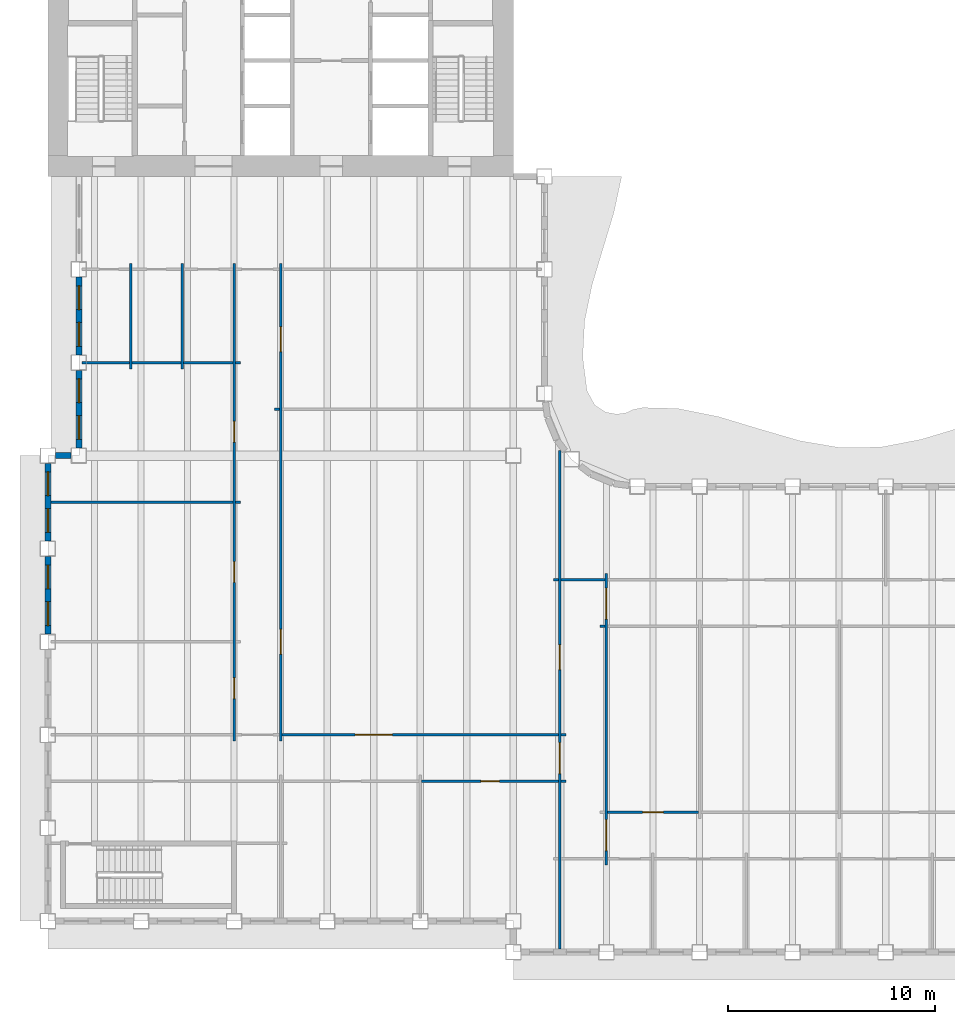
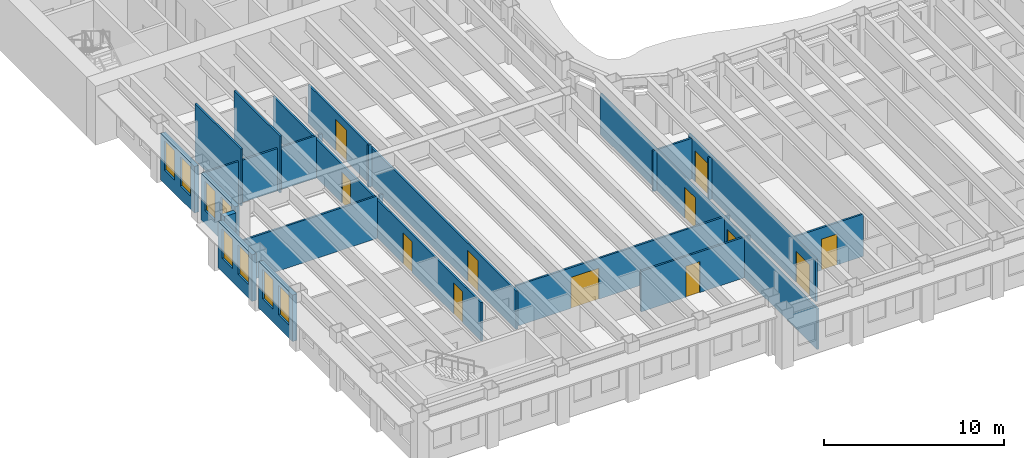
# One storey, part 4 of 17: 26 walls, 12 doors, 8 windows, 20 openings.
"""IFC4 building model written with IfcOpenShell, lengths in metres."""

from ifc_helpers import new_model, si_unit, direction, frame, frame_2d, origin, place, context, subcontext, project, spatial, rectangle, extrude, material, layer, layer_set, type_object, element, fill, save


model = new_model("IFC4")

# Units and contexts
model_context = context("Model", 3, precision=1e-05, world=origin(), true_north=direction((0.0, 1.0)))
body_context = subcontext(model_context, "Body", "Model", "MODEL_VIEW")
ifc_project = project(units=[si_unit("LENGTHUNIT", "METRE"), si_unit("AREAUNIT", "SQUARE_METRE"), si_unit("VOLUMEUNIT", "CUBIC_METRE"), si_unit("PLANEANGLEUNIT", "RADIAN"), si_unit("MASSUNIT", "GRAM", prefix="KILO")], contexts=[model_context])

# Site, building, storey
site_placement = place(None, origin())
site = spatial("IfcSite", under=ifc_project, at=site_placement, CompositionType="ELEMENT")
building_placement = place(site_placement, origin())
building = spatial("IfcBuilding", under=site, at=building_placement, Name="Sennacour Bend Tower", CompositionType="ELEMENT")
storey_placement = place(building_placement, frame((0.0, 0.0, 219.0)))
storey = spatial("IfcBuildingStorey", under=building, at=storey_placement, Name="L50", CompositionType="ELEMENT", Elevation=219.0)

# Walls
ifc_material_1 = material(Name="Plasterboard partition on steel studs", Category="steel")
ifc_layer_1 = layer(ifc_material_1, 0.1201171875, Name="Plasterboard partition on steel studs", Category="steel")
ifc_layer_set_1 = layer_set([ifc_layer_1], Name="Plasterboard partition on steel studs")
wall_type_1 = type_object("IfcWallType", Name="Partition 120", PredefinedType="PARTITIONING", material=ifc_layer_set_1)
for number, where, z_axis, x_axis, name in (
    (1, (4.0, 26.699951171875, 0.0), (0.0, 0.0, 1.0), (0.0, 1.0, 0.0), "P-L50-W004a"),
    (2, (6.5, 26.699951171875, 0.0), (0.0, 0.0, 1.0), (0.0, 1.0, 0.0), "P-L50-W007a"),
):
    element("IfcWall", number, at=place(storey_placement, frame(where, z_axis=z_axis, x_axis=x_axis)), inside=storey, type_object=wall_type_1, Name=name, PredefinedType="PARTITIONING", context=body_context, shape_type="SweptSolid", body=[
        extrude(rectangle(XDim=5.10009765625, YDim=0.1201171875, at=frame_2d((2.550048828125, 0.0))), origin(), (0.0, 0.0, 1.0), 3.85009765625),
    ])

# Wall, openings, doors
wall_1_placement = place(storey_placement, frame((9.0, 8.699951171875, 0.0), z_axis=(0.0, 0.0, 1.0), x_axis=(0.0, 1.0, 0.0)))
wall_1 = element("IfcWall", 3, at=wall_1_placement, inside=storey, type_object=wall_type_1, Name="P-L50-W010a", PredefinedType="PARTITIONING", context=body_context, shape_type="SweptSolid", body=[
    extrude(rectangle(XDim=23.10009765625, YDim=0.1201171875, at=frame_2d((11.550048828125, 0.0))), origin(), (0.0, 0.0, 1.0), 2.60009765625),
])
opening_1_placement = place(wall_1_placement, frame((2.050048828125, 0.0, 0.0)))
opening_1 = element("IfcOpeningElement", 4, at=opening_1_placement, cuts=wall_1, Name="Opening OD2", PredefinedType="OPENING", context=body_context, shape_type="SweptSolid", body=[
    extrude(rectangle(XDim=1.0, YDim=2.10009765625, at=frame_2d((0.5, 1.050048828125))), frame((0.0, 0.070068359375, 0.0), z_axis=(0.0, -1.0, 0.0), x_axis=(1.0, 0.0, 0.0)), (0.0, 0.0, 1.0), 0.14013671875),
])
opening_2_placement = place(wall_1_placement, frame((7.675048828125, 0.0, 0.0)))
opening_2 = element("IfcOpeningElement", 5, at=opening_2_placement, cuts=wall_1, Name="Opening OD2", PredefinedType="OPENING", context=body_context, shape_type="SweptSolid", body=[
    extrude(rectangle(XDim=1.0, YDim=2.10009765625, at=frame_2d((0.5, 1.050048828125))), frame((0.0, 0.070068359375, 0.0), z_axis=(0.0, -1.0, 0.0), x_axis=(1.0, 0.0, 0.0)), (0.0, 0.0, 1.0), 0.14013671875),
])
opening_3_placement = place(wall_1_placement, frame((14.455078125, 0.0, 0.0)))
opening_3 = element("IfcOpeningElement", 6, at=opening_3_placement, cuts=wall_1, Name="Opening OD2", PredefinedType="OPENING", context=body_context, shape_type="SweptSolid", body=[
    extrude(rectangle(XDim=1.0, YDim=2.10009765625, at=frame_2d((0.5, 1.050048828125))), frame((0.0, 0.070068359375, 0.0), z_axis=(0.0, -1.0, 0.0), x_axis=(1.0, 0.0, 0.0)), (0.0, 0.0, 1.0), 0.14013671875),
])
ifc_material_2 = material(Name="Timber", Category="wood")
door_type_1 = type_object("IfcDoorType", Name="DR-OFFICE-1000", OperationType="NOTDEFINED", PredefinedType="DOOR", material=ifc_material_2)
door_1_placement = place(opening_1_placement, origin())
door_1 = element("IfcDoor", 7, at=door_1_placement, inside=storey, type_object=door_type_1, Name="Door", OperationType="SINGLE_SWING_LEFT", OverallHeight=2.10009765625, OverallWidth=1.0, PredefinedType="DOOR", context=body_context, shape_type="SweptSolid", body=[
    extrude(rectangle(XDim=1.0, YDim=2.10009765625, at=frame_2d((0.5, 1.050048828125))), frame((0.0, 0.02490234375, 0.0), z_axis=(0.0, -1.0, 0.0), x_axis=(1.0, 0.0, 0.0)), (0.0, 0.0, 1.0), 0.050048828125),
])
fill(opening_1, door_1)
door_2_placement = place(opening_2_placement, origin())
door_2 = element("IfcDoor", 8, at=door_2_placement, inside=storey, type_object=door_type_1, Name="Door", OperationType="SINGLE_SWING_LEFT", OverallHeight=2.10009765625, OverallWidth=1.0, PredefinedType="DOOR", context=body_context, shape_type="SweptSolid", body=[
    extrude(rectangle(XDim=1.0, YDim=2.10009765625, at=frame_2d((0.5, 1.050048828125))), frame((0.0, 0.02490234375, 0.0), z_axis=(0.0, -1.0, 0.0), x_axis=(1.0, 0.0, 0.0)), (0.0, 0.0, 1.0), 0.050048828125),
])
fill(opening_2, door_2)
door_3_placement = place(opening_3_placement, origin())
door_3 = element("IfcDoor", 9, at=door_3_placement, inside=storey, type_object=door_type_1, Name="Door", OperationType="SINGLE_SWING_RIGHT", OverallHeight=2.10009765625, OverallWidth=1.0, PredefinedType="DOOR", context=body_context, shape_type="SweptSolid", body=[
    extrude(rectangle(XDim=1.0, YDim=2.10009765625, at=frame_2d((0.5, 1.050048828125))), frame((0.0, 0.02490234375, 0.0), z_axis=(0.0, -1.0, 0.0), x_axis=(1.0, 0.0, 0.0)), (0.0, 0.0, 1.0), 0.050048828125),
])
fill(opening_3, door_3)

wall_2_placement = place(storey_placement, frame((11.25, 8.699951171875, 0.0), z_axis=(0.0, 0.0, 1.0), x_axis=(0.0, 1.0, 0.0)))
wall_2 = element("IfcWall", 10, at=wall_2_placement, inside=storey, type_object=wall_type_1, Name="P-L50-W013a", PredefinedType="PARTITIONING", context=body_context, shape_type="SweptSolid", body=[
    extrude(rectangle(XDim=23.10009765625, YDim=0.1201171875, at=frame_2d((11.550048828125, 0.0))), origin(), (0.0, 0.0, 1.0), 2.60009765625),
])
opening_4_placement = place(wall_2_placement, frame((18.824951171875, 0.0, 0.0)))
opening_4 = element("IfcOpeningElement", 11, at=opening_4_placement, cuts=wall_2, Name="Opening MD", PredefinedType="OPENING", context=body_context, shape_type="SweptSolid", body=[
    extrude(rectangle(XDim=1.199951171875, YDim=2.10009765625, at=frame_2d((0.60009765625, 1.050048828125))), frame((0.0, 0.070068359375, 0.0), z_axis=(0.0, -1.0, 0.0), x_axis=(1.0, 0.0, 0.0)), (0.0, 0.0, 1.0), 0.14013671875),
])
opening_5_placement = place(wall_2_placement, frame((4.199951171875, 0.0, 0.0)))
opening_5 = element("IfcOpeningElement", 12, at=opening_5_placement, cuts=wall_2, Name="Opening OD", PredefinedType="OPENING", context=body_context, shape_type="SweptSolid", body=[
    extrude(rectangle(XDim=1.199951171875, YDim=2.10009765625, at=frame_2d((0.60009765625, 1.050048828125))), frame((0.0, 0.070068359375, 0.0), z_axis=(0.0, -1.0, 0.0), x_axis=(1.0, 0.0, 0.0)), (0.0, 0.0, 1.0), 0.14013671875),
])
door_type_2 = type_object("IfcDoorType", Name="DR-MEETING-1200", OperationType="NOTDEFINED", PredefinedType="DOOR", material=ifc_material_2)
door_4_placement = place(opening_4_placement, origin())
door_4 = element("IfcDoor", 13, at=door_4_placement, inside=storey, type_object=door_type_2, Name="Door", OperationType="SINGLE_SWING_RIGHT", OverallHeight=2.10009765625, OverallWidth=1.199951171875, PredefinedType="DOOR", context=body_context, shape_type="SweptSolid", body=[
    extrude(rectangle(XDim=1.199951171875, YDim=2.10009765625, at=frame_2d((0.60009765625, 1.050048828125))), frame((0.0, 0.02490234375, 0.0), z_axis=(0.0, -1.0, 0.0), x_axis=(1.0, 0.0, 0.0)), (0.0, 0.0, 1.0), 0.050048828125),
])
fill(opening_4, door_4)
door_type_3 = type_object("IfcDoorType", Name="DR-OFFICE-1200", OperationType="NOTDEFINED", PredefinedType="DOOR", material=ifc_material_2)
door_5_placement = place(opening_5_placement, origin())
door_5 = element("IfcDoor", 14, at=door_5_placement, inside=storey, type_object=door_type_3, Name="Door", OperationType="SINGLE_SWING_LEFT", OverallHeight=2.10009765625, OverallWidth=1.199951171875, PredefinedType="DOOR", context=body_context, shape_type="SweptSolid", body=[
    extrude(rectangle(XDim=1.199951171875, YDim=2.10009765625, at=frame_2d((0.60009765625, 1.050048828125))), frame((0.0, 0.02490234375, 0.0), z_axis=(0.0, -1.0, 0.0), x_axis=(1.0, 0.0, 0.0)), (0.0, 0.0, 1.0), 0.050048828125),
])
fill(opening_5, door_5)

# Wall, opening, door
wall_3_placement = place(storey_placement, frame((27.06005859375, 5.25, 0.0), z_axis=(0.0, 0.0, 1.0), x_axis=(1.0, 0.0, 0.0)))
wall_3 = element("IfcWall", 15, at=wall_3_placement, inside=storey, type_object=wall_type_1, Name="P-L50-W056ab", PredefinedType="PARTITIONING", context=body_context, shape_type="SweptSolid", body=[
    extrude(rectangle(XDim=4.3798828125, YDim=0.1201171875, at=frame_2d((2.18994140625, 0.0))), origin(), (0.0, 0.0, 1.0), 2.8701171875),
])
opening_6_placement = place(wall_3_placement, frame((1.68994140625, 0.0, 0.0)))
opening_6 = element("IfcOpeningElement", 16, at=opening_6_placement, cuts=wall_3, Name="Opening OD2", PredefinedType="OPENING", context=body_context, shape_type="SweptSolid", body=[
    extrude(rectangle(XDim=1.0, YDim=2.10009765625, at=frame_2d((0.5, 1.050048828125))), frame((0.0, 0.070068359375, 0.0), z_axis=(0.0, -1.0, 0.0), x_axis=(1.0, 0.0, 0.0)), (0.0, 0.0, 1.0), 0.14013671875),
])
door_6_placement = place(opening_6_placement, origin())
door_6 = element("IfcDoor", 17, at=door_6_placement, inside=storey, type_object=door_type_1, Name="Door", OperationType="SINGLE_SWING_LEFT", OverallHeight=2.10009765625, OverallWidth=1.0, PredefinedType="DOOR", context=body_context, shape_type="SweptSolid", body=[
    extrude(rectangle(XDim=1.0, YDim=2.10009765625, at=frame_2d((0.5, 1.050048828125))), frame((0.0, 0.02490234375, 0.0), z_axis=(0.0, -1.0, 0.0), x_axis=(1.0, 0.0, 0.0)), (0.0, 0.0, 1.0), 0.050048828125),
])
fill(opening_6, door_6)

# Wall
wall_4_placement = place(storey_placement, frame((24.81005859375, 6.75, 0.0), z_axis=(0.0, 0.0, 1.0), x_axis=(1.0, 0.0, 0.0)))
element("IfcWall", 18, at=wall_4_placement, inside=storey, type_object=wall_type_1, Name="P-L50-W058ad", PredefinedType="PARTITIONING", context=body_context, shape_type="SweptSolid", body=[
    extrude(rectangle(XDim=0.239990234375, YDim=0.1201171875, at=frame_2d((0.1201171875, 0.0))), origin(), (0.0, 0.0, 1.0), 2.760009765625),
])

# Wall, opening, door
wall_5_placement = place(storey_placement, frame((11.31005859375, 9.0, 0.0), z_axis=(0.0, 0.0, 1.0), x_axis=(1.0, 0.0, 0.0)))
wall_5 = element("IfcWall", 19, at=wall_5_placement, inside=storey, type_object=wall_type_1, Name="P-L50-W060ac", PredefinedType="PARTITIONING", context=body_context, shape_type="SweptSolid", body=[
    extrude(rectangle(XDim=13.3798828125, YDim=0.1201171875, at=frame_2d((6.68994140625, 0.0))), origin(), (0.0, 0.0, 1.0), 2.760009765625),
])
opening_7_placement = place(wall_5_placement, frame((3.539794921875, 0.0, 0.0)))
opening_7 = element("IfcOpeningElement", 20, at=opening_7_placement, cuts=wall_5, Name="Opening OD3", PredefinedType="OPENING", context=body_context, shape_type="SweptSolid", body=[
    extrude(rectangle(XDim=1.800048828125, YDim=2.10009765625, at=frame_2d((0.89990234375, 1.050048828125))), frame((0.0, 0.070068359375, 0.0), z_axis=(0.0, -1.0, 0.0), x_axis=(1.0, 0.0, 0.0)), (0.0, 0.0, 1.0), 0.14013671875),
])
door_type_4 = type_object("IfcDoorType", Name="DR-OFFICE-1800", OperationType="NOTDEFINED", PredefinedType="DOOR", material=ifc_material_2)
door_7_placement = place(opening_7_placement, origin())
door_7 = element("IfcDoor", 21, at=door_7_placement, inside=storey, type_object=door_type_4, Name="Door", OperationType="DOUBLE_DOOR_SINGLE_SWING", OverallHeight=2.10009765625, OverallWidth=1.800048828125, PredefinedType="DOOR", context=body_context, shape_type="SweptSolid", body=[
    extrude(rectangle(XDim=1.800048828125, YDim=2.10009765625, at=frame_2d((0.89990234375, 1.050048828125))), frame((0.0, 0.02490234375, 0.0), z_axis=(0.0, -1.0, 0.0), x_axis=(1.0, 0.0, 0.0)), (0.0, 0.0, 1.0), 0.050048828125),
])
fill(opening_7, door_7)

# Walls
wall_6_placement = place(storey_placement, frame((24.81005859375, 9.0, 0.0), z_axis=(0.0, 0.0, 1.0), x_axis=(1.0, 0.0, 0.0)))
element("IfcWall", 22, at=wall_6_placement, inside=storey, type_object=wall_type_1, Name="P-L50-W060ad", PredefinedType="PARTITIONING", context=body_context, shape_type="SweptSolid", body=[
    extrude(rectangle(XDim=0.239990234375, YDim=0.1201171875, at=frame_2d((0.1201171875, 0.0))), origin(), (0.0, 0.0, 1.0), 2.760009765625),
])
wall_7_placement = place(storey_placement, frame((26.699951171875, 14.25, 0.0), z_axis=(0.0, 0.0, 1.0), x_axis=(1.0, 0.0, 0.0)))
element("IfcWall", 23, at=wall_7_placement, inside=storey, type_object=wall_type_1, Name="P-L50-W065aa", PredefinedType="PARTITIONING", context=body_context, shape_type="SweptSolid", body=[
    extrude(rectangle(XDim=0.239990234375, YDim=0.1201171875, at=frame_2d((0.1201171875, 0.0))), origin(), (0.0, 0.0, 1.0), 2.8701171875),
])
wall_8_placement = place(storey_placement, frame((24.449951171875, 16.5, 0.0), z_axis=(0.0, 0.0, 1.0), x_axis=(1.0, 0.0, 0.0)))
element("IfcWall", 24, at=wall_8_placement, inside=storey, type_object=wall_type_1, Name="P-L50-W068aa", PredefinedType="PARTITIONING", context=body_context, shape_type="SweptSolid", body=[
    extrude(rectangle(XDim=0.239990234375, YDim=0.1201171875, at=frame_2d((0.1201171875, 0.0))), origin(), (0.0, 0.0, 1.0), 2.760009765625),
])
wall_9_placement = place(storey_placement, frame((24.81005859375, 16.5, 0.0), z_axis=(0.0, 0.0, 1.0), x_axis=(1.0, 0.0, 0.0)))
element("IfcWall", 25, at=wall_9_placement, inside=storey, type_object=wall_type_1, Name="P-L50-W068ab", PredefinedType="PARTITIONING", context=body_context, shape_type="SweptSolid", body=[
    extrude(rectangle(XDim=2.1298828125, YDim=0.1201171875, at=frame_2d((1.06494140625, 0.0))), origin(), (0.0, 0.0, 1.0), 2.760009765625),
])
wall_10_placement = place(storey_placement, frame((0.14990234375, 20.25, 0.0), z_axis=(0.0, 0.0, 1.0), x_axis=(1.0, 0.0, 0.0)))
element("IfcWall", 26, at=wall_10_placement, inside=storey, type_object=wall_type_1, Name="P-L50-W072aa", PredefinedType="PARTITIONING", context=body_context, shape_type="SweptSolid", body=[
    extrude(rectangle(XDim=8.7900390625, YDim=0.1201171875, at=frame_2d((4.39501953125, 0.0))), origin(), (0.0, 0.0, 1.0), 2.8701171875),
])
for number, where, z_axis, x_axis, name in (
    (27, (9.06005859375, 20.25, 0.0), (0.0, 0.0, 1.0), (1.0, 0.0, 0.0), "P-L50-W072ab"),
    (28, (10.949951171875, 24.75, 0.0), (0.0, 0.0, 1.0), (1.0, 0.0, 0.0), "P-L50-W074aa"),
):
    element("IfcWall", number, at=place(storey_placement, frame(where, z_axis=z_axis, x_axis=x_axis)), inside=storey, type_object=wall_type_1, Name=name, PredefinedType="PARTITIONING", context=body_context, shape_type="SweptSolid", body=[
        extrude(rectangle(XDim=0.239990234375, YDim=0.1201171875, at=frame_2d((0.1201171875, 0.0))), origin(), (0.0, 0.0, 1.0), 2.8701171875),
    ])
wall_11_placement = place(storey_placement, frame((1.64990234375, 27.0, 0.0), z_axis=(0.0, 0.0, 1.0), x_axis=(1.0, 0.0, 0.0)))
element("IfcWall", 29, at=wall_11_placement, inside=storey, type_object=wall_type_1, Name="P-L50-W076aa", PredefinedType="PARTITIONING", context=body_context, shape_type="SweptSolid", body=[
    extrude(rectangle(XDim=2.2900390625, YDim=0.1201171875, at=frame_2d((1.14501953125, 0.0))), origin(), (0.0, 0.0, 1.0), 2.8701171875),
])
for number, where, z_axis, x_axis, name in (
    (30, (4.06005859375, 27.0, 0.0), (0.0, 0.0, 1.0), (1.0, 0.0, 0.0), "P-L50-W076ab"),
    (31, (6.56005859375, 27.0, 0.0), (0.0, 0.0, 1.0), (1.0, 0.0, 0.0), "P-L50-W076ac"),
):
    element("IfcWall", number, at=place(storey_placement, frame(where, z_axis=z_axis, x_axis=x_axis)), inside=storey, type_object=wall_type_1, Name=name, PredefinedType="PARTITIONING", context=body_context, shape_type="SweptSolid", body=[
        extrude(rectangle(XDim=2.3798828125, YDim=0.1201171875, at=frame_2d((1.18994140625, 0.0))), origin(), (0.0, 0.0, 1.0), 2.8701171875),
    ])
wall_12_placement = place(storey_placement, frame((9.06005859375, 27.0, 0.0), z_axis=(0.0, 0.0, 1.0), x_axis=(1.0, 0.0, 0.0)))
element("IfcWall", 32, at=wall_12_placement, inside=storey, type_object=wall_type_1, Name="P-L50-W076ad", PredefinedType="PARTITIONING", context=body_context, shape_type="SweptSolid", body=[
    extrude(rectangle(XDim=0.239990234375, YDim=0.1201171875, at=frame_2d((0.1201171875, 0.0))), origin(), (0.0, 0.0, 1.0), 2.8701171875),
])

# Wall, openings, doors
ifc_layer_2 = layer(ifc_material_1, 0.1201171875, Name="Plasterboard partition on steel studs", Category="steel")
ifc_layer_set_2 = layer_set([ifc_layer_2], Name="Plasterboard partition on steel studs")
wall_type_2 = type_object("IfcWallType", Name="Partition 120 EI 30", PredefinedType="PARTITIONING", material=ifc_layer_set_2)
wall_13_placement = place(storey_placement, frame((24.75, -1.35009765625, 0.0), z_axis=(0.0, 0.0, 1.0), x_axis=(0.0, 1.0, 0.0)))
wall_13 = element("IfcWall", 33, at=wall_13_placement, inside=storey, type_object=wall_type_2, Name="P-L50-W022a", PredefinedType="PARTITIONING", context=body_context, shape_type="SweptSolid", body=[
    extrude(rectangle(XDim=24.1005859375, YDim=0.1201171875, at=frame_2d((12.05029296875, 0.0))), origin(), (0.0, 0.0, 1.0), 2.760009765625),
])
opening_8_placement = place(wall_13_placement, frame((8.47509765625, 0.0, 0.0)))
opening_8 = element("IfcOpeningElement", 34, at=opening_8_placement, cuts=wall_13, Name="Opening KD", PredefinedType="OPENING", context=body_context, shape_type="SweptSolid", body=[
    extrude(rectangle(XDim=1.5, YDim=2.10009765625, at=frame_2d((0.75, 1.050048828125))), frame((0.0, 0.070068359375, 0.0), z_axis=(0.0, -1.0, 0.0), x_axis=(1.0, 0.0, 0.0)), (0.0, 0.0, 1.0), 0.14013671875),
])
opening_9_placement = place(wall_13_placement, frame((13.5, 0.0, 0.0)))
opening_9 = element("IfcOpeningElement", 35, at=opening_9_placement, cuts=wall_13, Name="Opening OD", PredefinedType="OPENING", context=body_context, shape_type="SweptSolid", body=[
    extrude(rectangle(XDim=1.199951171875, YDim=2.10009765625, at=frame_2d((0.60009765625, 1.050048828125))), frame((0.0, 0.070068359375, 0.0), z_axis=(0.0, -1.0, 0.0), x_axis=(1.0, 0.0, 0.0)), (0.0, 0.0, 1.0), 0.14013671875),
])
ifc_material_3 = material(Name="Painted steel", Category="steel")
door_type_5 = type_object("IfcDoorType", Name="DR-CORRIDOR-1500", OperationType="NOTDEFINED", PredefinedType="DOOR", material=ifc_material_3)
door_8_placement = place(opening_8_placement, origin())
door_8 = element("IfcDoor", 36, at=door_8_placement, inside=storey, type_object=door_type_5, Name="Door", OperationType="SINGLE_SWING_LEFT", OverallHeight=2.10009765625, OverallWidth=1.5, PredefinedType="DOOR", context=body_context, shape_type="SweptSolid", body=[
    extrude(rectangle(XDim=1.5, YDim=2.10009765625, at=frame_2d((0.75, 1.050048828125))), frame((0.0, 0.02490234375, 0.0), z_axis=(0.0, -1.0, 0.0), x_axis=(1.0, 0.0, 0.0)), (0.0, 0.0, 1.0), 0.050048828125),
])
fill(opening_8, door_8)
door_9_placement = place(opening_9_placement, origin())
door_9 = element("IfcDoor", 37, at=door_9_placement, inside=storey, type_object=door_type_3, Name="Door", OperationType="SINGLE_SWING_RIGHT", OverallHeight=2.10009765625, OverallWidth=1.199951171875, PredefinedType="DOOR", context=body_context, shape_type="SweptSolid", body=[
    extrude(rectangle(XDim=1.199951171875, YDim=2.10009765625, at=frame_2d((0.60009765625, 1.050048828125))), frame((0.0, 0.02490234375, 0.0), z_axis=(0.0, -1.0, 0.0), x_axis=(1.0, 0.0, 0.0)), (0.0, 0.0, 1.0), 0.050048828125),
])
fill(opening_9, door_9)

wall_14_placement = place(storey_placement, frame((27.0, 2.699951171875, 0.0), z_axis=(0.0, 0.0, 1.0), x_axis=(0.0, 1.0, 0.0)))
wall_14 = element("IfcWall", 38, at=wall_14_placement, inside=storey, type_object=wall_type_2, Name="P-L50-W023a", PredefinedType="PARTITIONING", context=body_context, shape_type="SweptSolid", body=[
    extrude(rectangle(XDim=14.10009765625, YDim=0.1201171875, at=frame_2d((7.050048828125, 0.0))), origin(), (0.0, 0.0, 1.0), 2.8701171875),
])
opening_10_placement = place(wall_14_placement, frame((0.705078125, 0.0, 0.0)))
opening_10 = element("IfcOpeningElement", 39, at=opening_10_placement, cuts=wall_14, Name="Opening KD", PredefinedType="OPENING", context=body_context, shape_type="SweptSolid", body=[
    extrude(rectangle(XDim=1.5, YDim=2.10009765625, at=frame_2d((0.75, 1.050048828125))), frame((0.0, 0.070068359375, 0.0), z_axis=(0.0, -1.0, 0.0), x_axis=(1.0, 0.0, 0.0)), (0.0, 0.0, 1.0), 0.14013671875),
])
opening_11_placement = place(wall_14_placement, frame((11.89501953125, 0.0, 0.0)))
opening_11 = element("IfcOpeningElement", 40, at=opening_11_placement, cuts=wall_14, Name="Opening KD", PredefinedType="OPENING", context=body_context, shape_type="SweptSolid", body=[
    extrude(rectangle(XDim=1.5, YDim=2.10009765625, at=frame_2d((0.75, 1.050048828125))), frame((0.0, 0.070068359375, 0.0), z_axis=(0.0, -1.0, 0.0), x_axis=(1.0, 0.0, 0.0)), (0.0, 0.0, 1.0), 0.14013671875),
])
door_10_placement = place(opening_10_placement, origin())
door_10 = element("IfcDoor", 41, at=door_10_placement, inside=storey, type_object=door_type_5, Name="Door", OperationType="SINGLE_SWING_LEFT", OverallHeight=2.10009765625, OverallWidth=1.5, PredefinedType="DOOR", context=body_context, shape_type="SweptSolid", body=[
    extrude(rectangle(XDim=1.5, YDim=2.10009765625, at=frame_2d((0.75, 1.050048828125))), frame((0.0, 0.02490234375, 0.0), z_axis=(0.0, -1.0, 0.0), x_axis=(1.0, 0.0, 0.0)), (0.0, 0.0, 1.0), 0.050048828125),
])
fill(opening_10, door_10)
door_11_placement = place(opening_11_placement, origin())
door_11 = element("IfcDoor", 42, at=door_11_placement, inside=storey, type_object=door_type_5, Name="Door", OperationType="SINGLE_SWING_RIGHT", OverallHeight=2.10009765625, OverallWidth=1.5, PredefinedType="DOOR", context=body_context, shape_type="SweptSolid", body=[
    extrude(rectangle(XDim=1.5, YDim=2.10009765625, at=frame_2d((0.75, 1.050048828125))), frame((0.0, 0.02490234375, 0.0), z_axis=(0.0, -1.0, 0.0), x_axis=(1.0, 0.0, 0.0)), (0.0, 0.0, 1.0), 0.050048828125),
])
fill(opening_11, door_11)

# Wall, opening, door
ifc_layer_3 = layer(ifc_material_1, 0.1201171875, Name="Plasterboard partition on steel studs", Category="steel")
ifc_layer_set_3 = layer_set([ifc_layer_3], Name="Plasterboard partition on steel studs")
wall_type_3 = type_object("IfcWallType", Name="Partition 120 EI 60", PredefinedType="PARTITIONING", material=ifc_layer_set_3)
wall_15_placement = place(storey_placement, frame((18.06005859375, 6.75, 0.0), z_axis=(0.0, 0.0, 1.0), x_axis=(1.0, 0.0, 0.0)))
wall_15 = element("IfcWall", 43, at=wall_15_placement, inside=storey, type_object=wall_type_3, Name="P-L50-W058ac", PredefinedType="PARTITIONING", context=body_context, shape_type="SweptSolid", body=[
    extrude(rectangle(XDim=6.6298828125, YDim=0.1201171875, at=frame_2d((3.31494140625, 0.0))), origin(), (0.0, 0.0, 1.0), 2.760009765625),
])
opening_12_placement = place(wall_15_placement, frame((2.864990234375, 0.0, 0.0)))
opening_12 = element("IfcOpeningElement", 44, at=opening_12_placement, cuts=wall_15, Name="Opening SV", PredefinedType="OPENING", context=body_context, shape_type="SweptSolid", body=[
    extrude(rectangle(XDim=0.89990234375, YDim=2.10009765625, at=frame_2d((0.449951171875, 1.050048828125))), frame((0.0, 0.070068359375, 0.0), z_axis=(0.0, -1.0, 0.0), x_axis=(1.0, 0.0, 0.0)), (0.0, 0.0, 1.0), 0.14013671875),
])
door_type_6 = type_object("IfcDoorType", Name="DR-SERVICE-900", OperationType="NOTDEFINED", PredefinedType="DOOR", material=ifc_material_3)
door_12_placement = place(opening_12_placement, origin())
door_12 = element("IfcDoor", 45, at=door_12_placement, inside=storey, type_object=door_type_6, Name="Door", OperationType="SINGLE_SWING_LEFT", OverallHeight=2.10009765625, OverallWidth=0.89990234375, PredefinedType="DOOR", context=body_context, shape_type="SweptSolid", body=[
    extrude(rectangle(XDim=0.89990234375, YDim=2.10009765625, at=frame_2d((0.449951171875, 1.050048828125))), frame((0.0, 0.02490234375, 0.0), z_axis=(0.0, -1.0, 0.0), x_axis=(1.0, 0.0, 0.0)), (0.0, 0.0, 1.0), 0.050048828125),
])
fill(opening_12, door_12)

# Wall, openings, windows
ifc_material_4 = material(Name="Warm limestone cladding", Category="masonry")
ifc_layer_4 = layer(ifc_material_4, 0.050048828125, Name="Warm limestone cladding", Category="masonry")
ifc_material_5 = material(Name="Precast concrete C40/50", Category="concrete")
ifc_layer_5 = layer(ifc_material_5, 0.25, Name="Precast concrete C40/50", Category="concrete")
ifc_layer_set_4 = layer_set([ifc_layer_4, ifc_layer_5], Name="Precast concrete C40/50 with limestone cladding")
wall_type_4 = type_object("IfcWallType", Name="STONE-CLAD PRECAST SPANDREL 300", PredefinedType="STANDARD", material=ifc_layer_set_4)
wall_16_placement = place(storey_placement, frame((1.5, 31.125, 0.0), z_axis=(0.0, 0.0, 1.0), x_axis=(0.0, -1.0, 0.0)))
wall_16 = element("IfcWall", 46, at=wall_16_placement, inside=storey, type_object=wall_type_4, Name="Stone spandrel and pier wall L50 19.01", PredefinedType="STANDARD", context=body_context, shape_type="SweptSolid", body=[
    extrude(rectangle(XDim=3.75, YDim=0.300048828125, at=frame_2d((1.875, 0.0))), origin(), (0.0, 0.0, 1.0), 3.156982421875),
])
opening_13_placement = place(wall_16_placement, frame((0.41259765625, 0.0, 0.89990234375)))
opening_13 = element("IfcOpeningElement", 47, at=opening_13_placement, cuts=wall_16, Name="Opening W24", PredefinedType="OPENING", context=body_context, shape_type="SweptSolid", body=[
    extrude(rectangle(XDim=1.14990234375, YDim=2.0, at=frame_2d((0.574951171875, 1.0))), frame((0.0, 0.16015625, 0.0), z_axis=(0.0, -1.0, 0.0), x_axis=(1.0, 0.0, 0.0)), (0.0, 0.0, 1.0), 0.320068359375),
])
opening_14_placement = place(wall_16_placement, frame((2.1875, 0.0, 0.89990234375)))
opening_14 = element("IfcOpeningElement", 48, at=opening_14_placement, cuts=wall_16, Name="Opening W24", PredefinedType="OPENING", context=body_context, shape_type="SweptSolid", body=[
    extrude(rectangle(XDim=1.14990234375, YDim=2.0, at=frame_2d((0.574951171875, 1.0))), frame((0.0, 0.16015625, 0.0), z_axis=(0.0, -1.0, 0.0), x_axis=(1.0, 0.0, 0.0)), (0.0, 0.0, 1.0), 0.320068359375),
])
ifc_material_6 = material(Name="Clear low-emissivity glass", Category="glass")
window_type = type_object("IfcWindowType", Name="WIN-RIBBON-1150x2000", PartitioningType="SINGLE_PANEL", PredefinedType="WINDOW", material=ifc_material_6)
window_1_placement = place(opening_13_placement, origin())
window_1 = element("IfcWindow", 49, at=window_1_placement, inside=storey, type_object=window_type, Name="Ribbon window L50 19.01.0", OverallHeight=2.0, OverallWidth=1.14990234375, PartitioningType="SINGLE_PANEL", PredefinedType="WINDOW", context=body_context, shape_type="SweptSolid", body=[
    extrude(rectangle(XDim=1.14990234375, YDim=2.0, at=frame_2d((0.574951171875, 1.0))), frame((0.0, 0.030029296875, 0.0), z_axis=(0.0, -1.0, 0.0), x_axis=(1.0, 0.0, 0.0)), (0.0, 0.0, 1.0), 0.06005859375),
])
fill(opening_13, window_1)
window_2_placement = place(opening_14_placement, origin())
window_2 = element("IfcWindow", 50, at=window_2_placement, inside=storey, type_object=window_type, Name="Ribbon window L50 19.01.1", OverallHeight=2.0, OverallWidth=1.14990234375, PartitioningType="SINGLE_PANEL", PredefinedType="WINDOW", context=body_context, shape_type="SweptSolid", body=[
    extrude(rectangle(XDim=1.14990234375, YDim=2.0, at=frame_2d((0.574951171875, 1.0))), frame((0.0, 0.030029296875, 0.0), z_axis=(0.0, -1.0, 0.0), x_axis=(1.0, 0.0, 0.0)), (0.0, 0.0, 1.0), 0.06005859375),
])
fill(opening_14, window_2)

wall_17_placement = place(storey_placement, frame((1.5, 26.625, 0.0), z_axis=(0.0, 0.0, 1.0), x_axis=(0.0, -1.0, 0.0)))
wall_17 = element("IfcWall", 51, at=wall_17_placement, inside=storey, type_object=wall_type_4, Name="Stone spandrel and pier wall L50 19.02", PredefinedType="STANDARD", context=body_context, shape_type="SweptSolid", body=[
    extrude(rectangle(XDim=3.75, YDim=0.300048828125, at=frame_2d((1.875, 0.0))), origin(), (0.0, 0.0, 1.0), 3.156982421875),
])
opening_15_placement = place(wall_17_placement, frame((0.41259765625, 0.0, 0.89990234375)))
opening_15 = element("IfcOpeningElement", 52, at=opening_15_placement, cuts=wall_17, Name="Opening W24", PredefinedType="OPENING", context=body_context, shape_type="SweptSolid", body=[
    extrude(rectangle(XDim=1.14990234375, YDim=2.0, at=frame_2d((0.574951171875, 1.0))), frame((0.0, 0.16015625, 0.0), z_axis=(0.0, -1.0, 0.0), x_axis=(1.0, 0.0, 0.0)), (0.0, 0.0, 1.0), 0.320068359375),
])
opening_16_placement = place(wall_17_placement, frame((2.1875, 0.0, 0.89990234375)))
opening_16 = element("IfcOpeningElement", 53, at=opening_16_placement, cuts=wall_17, Name="Opening W24", PredefinedType="OPENING", context=body_context, shape_type="SweptSolid", body=[
    extrude(rectangle(XDim=1.14990234375, YDim=2.0, at=frame_2d((0.574951171875, 1.0))), frame((0.0, 0.16015625, 0.0), z_axis=(0.0, -1.0, 0.0), x_axis=(1.0, 0.0, 0.0)), (0.0, 0.0, 1.0), 0.320068359375),
])
window_3_placement = place(opening_15_placement, origin())
window_3 = element("IfcWindow", 54, at=window_3_placement, inside=storey, type_object=window_type, Name="Ribbon window L50 19.02.0", OverallHeight=2.0, OverallWidth=1.14990234375, PartitioningType="SINGLE_PANEL", PredefinedType="WINDOW", context=body_context, shape_type="SweptSolid", body=[
    extrude(rectangle(XDim=1.14990234375, YDim=2.0, at=frame_2d((0.574951171875, 1.0))), frame((0.0, 0.030029296875, 0.0), z_axis=(0.0, -1.0, 0.0), x_axis=(1.0, 0.0, 0.0)), (0.0, 0.0, 1.0), 0.06005859375),
])
fill(opening_15, window_3)
window_4_placement = place(opening_16_placement, origin())
window_4 = element("IfcWindow", 55, at=window_4_placement, inside=storey, type_object=window_type, Name="Ribbon window L50 19.02.1", OverallHeight=2.0, OverallWidth=1.14990234375, PartitioningType="SINGLE_PANEL", PredefinedType="WINDOW", context=body_context, shape_type="SweptSolid", body=[
    extrude(rectangle(XDim=1.14990234375, YDim=2.0, at=frame_2d((0.574951171875, 1.0))), frame((0.0, 0.030029296875, 0.0), z_axis=(0.0, -1.0, 0.0), x_axis=(1.0, 0.0, 0.0)), (0.0, 0.0, 1.0), 0.06005859375),
])
fill(opening_16, window_4)

# Wall
wall_18_placement = place(storey_placement, frame((1.125, 22.5, 0.0), z_axis=(0.0, 0.0, 1.0), x_axis=(-1.0, 0.0, 0.0)))
element("IfcWall", 56, at=wall_18_placement, inside=storey, type_object=wall_type_4, Name="Stone spandrel and pier wall L50 20.00", PredefinedType="STANDARD", context=body_context, shape_type="SweptSolid", body=[
    extrude(rectangle(XDim=0.75, YDim=0.300048828125, at=frame_2d((0.375, 0.0))), origin(), (0.0, 0.0, 1.0), 3.156982421875),
])

# Wall, openings, windows
wall_19_placement = place(storey_placement, frame((0.0, 22.125, 0.0), z_axis=(0.0, 0.0, 1.0), x_axis=(0.0, -1.0, 0.0)))
wall_19 = element("IfcWall", 57, at=wall_19_placement, inside=storey, type_object=wall_type_4, Name="Stone spandrel and pier wall L50 21.00", PredefinedType="STANDARD", context=body_context, shape_type="SweptSolid", body=[
    extrude(rectangle(XDim=3.75, YDim=0.300048828125, at=frame_2d((1.875, 0.0))), origin(), (0.0, 0.0, 1.0), 3.156982421875),
])
opening_17_placement = place(wall_19_placement, frame((0.41259765625, 0.0, 0.89990234375)))
opening_17 = element("IfcOpeningElement", 58, at=opening_17_placement, cuts=wall_19, Name="Opening W24", PredefinedType="OPENING", context=body_context, shape_type="SweptSolid", body=[
    extrude(rectangle(XDim=1.14990234375, YDim=2.0, at=frame_2d((0.574951171875, 1.0))), frame((0.0, 0.16015625, 0.0), z_axis=(0.0, -1.0, 0.0), x_axis=(1.0, 0.0, 0.0)), (0.0, 0.0, 1.0), 0.320068359375),
])
opening_18_placement = place(wall_19_placement, frame((2.1875, 0.0, 0.89990234375)))
opening_18 = element("IfcOpeningElement", 59, at=opening_18_placement, cuts=wall_19, Name="Opening W24", PredefinedType="OPENING", context=body_context, shape_type="SweptSolid", body=[
    extrude(rectangle(XDim=1.14990234375, YDim=2.0, at=frame_2d((0.574951171875, 1.0))), frame((0.0, 0.16015625, 0.0), z_axis=(0.0, -1.0, 0.0), x_axis=(1.0, 0.0, 0.0)), (0.0, 0.0, 1.0), 0.320068359375),
])
window_5_placement = place(opening_17_placement, origin())
window_5 = element("IfcWindow", 60, at=window_5_placement, inside=storey, type_object=window_type, Name="Ribbon window L50 21.00.0", OverallHeight=2.0, OverallWidth=1.14990234375, PartitioningType="SINGLE_PANEL", PredefinedType="WINDOW", context=body_context, shape_type="SweptSolid", body=[
    extrude(rectangle(XDim=1.14990234375, YDim=2.0, at=frame_2d((0.574951171875, 1.0))), frame((0.0, 0.030029296875, 0.0), z_axis=(0.0, -1.0, 0.0), x_axis=(1.0, 0.0, 0.0)), (0.0, 0.0, 1.0), 0.06005859375),
])
fill(opening_17, window_5)
window_6_placement = place(opening_18_placement, origin())
window_6 = element("IfcWindow", 61, at=window_6_placement, inside=storey, type_object=window_type, Name="Ribbon window L50 21.00.1", OverallHeight=2.0, OverallWidth=1.14990234375, PartitioningType="SINGLE_PANEL", PredefinedType="WINDOW", context=body_context, shape_type="SweptSolid", body=[
    extrude(rectangle(XDim=1.14990234375, YDim=2.0, at=frame_2d((0.574951171875, 1.0))), frame((0.0, 0.030029296875, 0.0), z_axis=(0.0, -1.0, 0.0), x_axis=(1.0, 0.0, 0.0)), (0.0, 0.0, 1.0), 0.06005859375),
])
fill(opening_18, window_6)

wall_20_placement = place(storey_placement, frame((0.0, 17.625, 0.0), z_axis=(0.0, 0.0, 1.0), x_axis=(0.0, -1.0, 0.0)))
wall_20 = element("IfcWall", 62, at=wall_20_placement, inside=storey, type_object=wall_type_4, Name="Stone spandrel and pier wall L50 21.01", PredefinedType="STANDARD", context=body_context, shape_type="SweptSolid", body=[
    extrude(rectangle(XDim=3.75, YDim=0.300048828125, at=frame_2d((1.875, 0.0))), origin(), (0.0, 0.0, 1.0), 3.156982421875),
])
opening_19_placement = place(wall_20_placement, frame((0.41259765625, 0.0, 0.89990234375)))
opening_19 = element("IfcOpeningElement", 63, at=opening_19_placement, cuts=wall_20, Name="Opening W24", PredefinedType="OPENING", context=body_context, shape_type="SweptSolid", body=[
    extrude(rectangle(XDim=1.14990234375, YDim=2.0, at=frame_2d((0.574951171875, 1.0))), frame((0.0, 0.16015625, 0.0), z_axis=(0.0, -1.0, 0.0), x_axis=(1.0, 0.0, 0.0)), (0.0, 0.0, 1.0), 0.320068359375),
])
opening_20_placement = place(wall_20_placement, frame((2.1875, 0.0, 0.89990234375)))
opening_20 = element("IfcOpeningElement", 64, at=opening_20_placement, cuts=wall_20, Name="Opening W24", PredefinedType="OPENING", context=body_context, shape_type="SweptSolid", body=[
    extrude(rectangle(XDim=1.14990234375, YDim=2.0, at=frame_2d((0.574951171875, 1.0))), frame((0.0, 0.16015625, 0.0), z_axis=(0.0, -1.0, 0.0), x_axis=(1.0, 0.0, 0.0)), (0.0, 0.0, 1.0), 0.320068359375),
])
window_7_placement = place(opening_19_placement, origin())
window_7 = element("IfcWindow", 65, at=window_7_placement, inside=storey, type_object=window_type, Name="Ribbon window L50 21.01.0", OverallHeight=2.0, OverallWidth=1.14990234375, PartitioningType="SINGLE_PANEL", PredefinedType="WINDOW", context=body_context, shape_type="SweptSolid", body=[
    extrude(rectangle(XDim=1.14990234375, YDim=2.0, at=frame_2d((0.574951171875, 1.0))), frame((0.0, 0.030029296875, 0.0), z_axis=(0.0, -1.0, 0.0), x_axis=(1.0, 0.0, 0.0)), (0.0, 0.0, 1.0), 0.06005859375),
])
fill(opening_19, window_7)
window_8_placement = place(opening_20_placement, origin())
window_8 = element("IfcWindow", 66, at=window_8_placement, inside=storey, type_object=window_type, Name="Ribbon window L50 21.01.1", OverallHeight=2.0, OverallWidth=1.14990234375, PartitioningType="SINGLE_PANEL", PredefinedType="WINDOW", context=body_context, shape_type="SweptSolid", body=[
    extrude(rectangle(XDim=1.14990234375, YDim=2.0, at=frame_2d((0.574951171875, 1.0))), frame((0.0, 0.030029296875, 0.0), z_axis=(0.0, -1.0, 0.0), x_axis=(1.0, 0.0, 0.0)), (0.0, 0.0, 1.0), 0.06005859375),
])
fill(opening_20, window_8)

save(model, "model.ifc")
